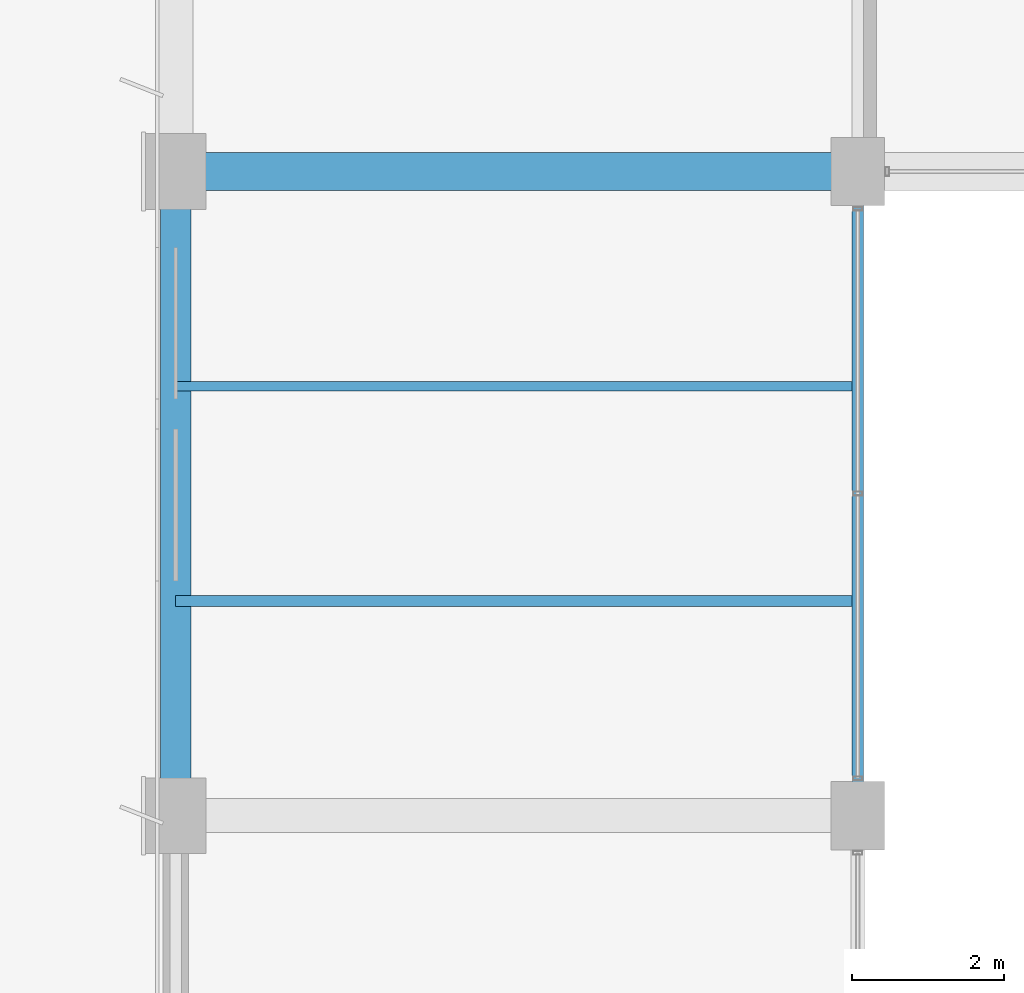
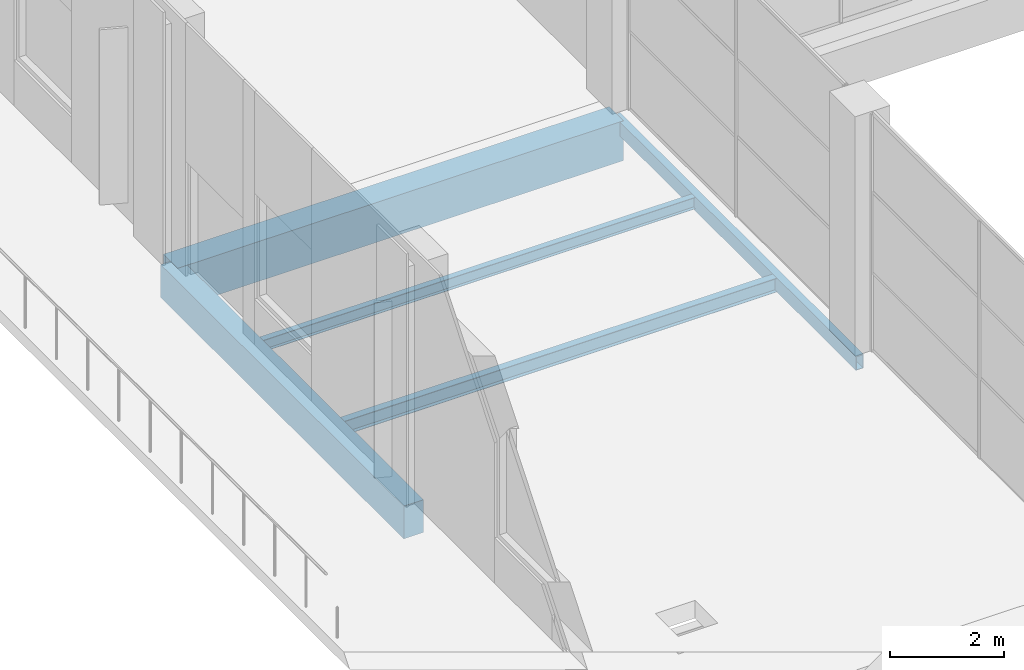
# One storey, part 49 of 90: 5 beams.
"""IFC4 building model written with IfcOpenShell, lengths in metres."""

import ifcopenshell
import ifcopenshell.guid

model = None  # the IFC model being written
_history = None  # IfcOwnerHistory: only IFC2X3 demands one
_inside = {}  # id of a spatial element -> (the spatial element, [elements in it])
_under = {}  # id of a project, library or spatial element -> (it, [spatial elements below it])
_declared = {}  # id of a project -> (the project, [libraries it declares])
_typed = {}  # id of a type object -> (the type object, [elements of that type])
_made_of = {}  # id of a material, layer set ... -> (it, [elements and type objects made of it])


def new_model(schema):
    """Start an empty IFC model of exactly this schema.

    Asked for "IFC4X3", IfcOpenShell would pick the latest addendum, in which some entities
    have other attributes; the version numbers below select the first issue.
    IFC2X3 requires an IfcOwnerHistory on every rooted entity: one is made here for all.
    """
    global model, _history
    if schema == "IFC4X3":
        model = ifcopenshell.file(schema_version=(4, 3, 0, 0))
    else:
        model = ifcopenshell.file(schema=schema)
    _inside.clear()
    _under.clear()
    _declared.clear()
    _typed.clear()
    _made_of.clear()
    _history = None
    if model.schema == "IFC2X3":
        org = make("IfcOrganization", Name="unknown")
        user = make(
            "IfcPersonAndOrganization",
            ThePerson=make("IfcPerson", FamilyName="unknown"),
            TheOrganization=org,
        )
        app = make(
            "IfcApplication",
            ApplicationDeveloper=org,
            Version="unknown",
            ApplicationFullName="unknown",
            ApplicationIdentifier="unknown",
        )
        _history = make(
            "IfcOwnerHistory",
            OwningUser=user,
            OwningApplication=app,
            ChangeAction="ADDED",
            CreationDate=0,
        )
    return model


def make(cls, **values):
    """One entity of the class cls with the attributes given. An attribute that is None is left unset."""
    return model.create_entity(
        cls, **{name: value for name, value in values.items() if value is not None}
    )


def rooted(cls, **values):
    """An entity with a GlobalId (a new one), such as an element, a storey or a relation."""
    return make(cls, GlobalId=ifcopenshell.guid.new(), OwnerHistory=_history, **values)


def si_unit(unit_type, name, prefix=None):
    """IfcSIUnit, for example si_unit("LENGTHUNIT", "METRE", prefix="MILLI")."""
    return make("IfcSIUnit", UnitType=unit_type, Prefix=prefix, Name=name)


def assignment(units):
    """IfcUnitAssignment: the units of a project."""
    return None if units is None else make("IfcUnitAssignment", Units=units)


def point(xyz):
    """IfcCartesianPoint."""
    return None if xyz is None else make("IfcCartesianPoint", Coordinates=xyz)


def direction(xyz):
    """IfcDirection."""
    return None if xyz is None else make("IfcDirection", DirectionRatios=xyz)


def frame(location, z_axis=None, x_axis=None):
    """IfcAxis2Placement3D, a coordinate frame: its origin and axes. An axis left out is left unset."""
    return make(
        "IfcAxis2Placement3D",
        Location=point(location),
        Axis=direction(z_axis),
        RefDirection=direction(x_axis),
    )


def frame_2d(location, x_axis=None):
    """IfcAxis2Placement2D, a coordinate frame in the plane: its origin and x axis."""
    return make(
        "IfcAxis2Placement2D", Location=point(location), RefDirection=direction(x_axis)
    )


def origin():
    """The frame at (0, 0, 0) with its axes left unset."""
    return frame((0.0, 0.0, 0.0))


def origin_2d():
    """The frame at (0, 0) in the plane with its x axis left unset."""
    return frame_2d((0.0, 0.0))


def place(relative_to, where):
    """IfcLocalPlacement: puts the frame where relative to a parent placement (None: the world)."""
    return make(
        "IfcLocalPlacement", PlacementRelTo=relative_to, RelativePlacement=where
    )


def context(
    kind, dimensions, precision=None, world=None, true_north=None, identifier=None
):
    """IfcGeometricRepresentationContext, for example the 3D "Model" context."""
    return make(
        "IfcGeometricRepresentationContext",
        ContextIdentifier=identifier,
        ContextType=kind,
        CoordinateSpaceDimension=dimensions,
        Precision=precision,
        WorldCoordinateSystem=world,
        TrueNorth=true_north,
    )


def subcontext(parent, identifier, kind, view, scale=None):
    """IfcGeometricRepresentationSubContext, for example "Body" below "Model"."""
    return make(
        "IfcGeometricRepresentationSubContext",
        ContextIdentifier=identifier,
        ContextType=kind,
        ParentContext=parent,
        TargetScale=scale,
        TargetView=view,
    )


def project(units=None, contexts=None):
    """IfcProject with its units and contexts."""
    return rooted(
        "IfcProject",
        Name="project",
        RepresentationContexts=contexts,
        UnitsInContext=assignment(units),
    )


def spatial(cls, under=None, at=None, **own):
    """A site, building, storey or space (cls), placed at a placement, below another one or the project."""
    s = rooted(cls, ObjectPlacement=at, **own)
    if under is not None:
        _under.setdefault(under.id(), (under, []))[1].append(s)
    return s


def profile(cls, at=None, kind="AREA", **sizes):
    """A parametric profile (cls). Its sizes go by their IFC names, for example OverallWidth=200.0."""
    return make(cls, ProfileType=kind, Position=at, **sizes)


def rectangle(**sizes):
    """IfcRectangleProfileDef."""
    return profile("IfcRectangleProfileDef", **sizes)


def hollow_rectangle(**sizes):
    """IfcRectangleHollowProfileDef."""
    return profile("IfcRectangleHollowProfileDef", **sizes)


def i_section(**sizes):
    """IfcIShapeProfileDef."""
    return profile("IfcIShapeProfileDef", **sizes)


def extrude(swept, where, along, depth):
    """IfcExtrudedAreaSolid: the profile swept, set in the frame where, extruded along a direction by depth."""
    return make(
        "IfcExtrudedAreaSolid",
        SweptArea=swept,
        Position=where,
        ExtrudedDirection=direction(along),
        Depth=depth,
    )


def shape(context_of_items, identifier, shape_type, items):
    """IfcShapeRepresentation: the items that make up one representation, for example the "Body"."""
    return make(
        "IfcShapeRepresentation",
        ContextOfItems=context_of_items,
        RepresentationIdentifier=identifier,
        RepresentationType=shape_type,
        Items=items,
    )


def material(Name=None, Category=None):
    """IfcMaterial."""
    return make("IfcMaterial", Name=Name, Category=Category)


def material_profile(
    of_material, cross_section, Name=None, Category=None, Priority=None
):
    """IfcMaterialProfile: a cross section and its material."""
    return make(
        "IfcMaterialProfile",
        Name=Name,
        Material=of_material,
        Profile=cross_section,
        Priority=Priority,
        Category=Category,
    )


def profile_set(profiles, Name=None, composite=None):
    """IfcMaterialProfileSet."""
    return make(
        "IfcMaterialProfileSet",
        Name=Name,
        MaterialProfiles=profiles,
        CompositeProfile=composite,
    )


def made_of(thing, what):
    """Note that an element or type object is made of a material, layer set ...; save() writes the relation."""
    if what is not None:
        _made_of.setdefault(what.id(), (what, []))[1].append(thing)
    return thing


def type_object(cls, material=None, **own):
    """A type object (cls), such as IfcWallType, which elements share."""
    return made_of(rooted(cls, **own), material)


def element(
    cls,
    number,
    at=None,
    inside=None,
    cuts=None,
    type_object=None,
    material=None,
    context=None,
    identifier="Body",
    shape_type=None,
    held_by="IfcProductDefinitionShape",
    body=None,
    shapes=None,
    **own,
):
    """One element of the class cls, such as IfcWall. Its Tag is "e" and its number.

    at: its placement. inside: the storey or other place that contains it. cuts: it is an
    opening in that element (IfcRelVoidsElement). A single representation is given by context,
    identifier, shape_type and body (its items); several are given by shapes. held_by: the class
    of the entity that holds the representations. save() writes the other relations.
    """
    e = rooted(cls, Tag="e%d" % number, ObjectPlacement=at, **own)
    if body is not None:
        shapes = [shape(context, identifier, shape_type, body)]
    if shapes is not None:
        e.Representation = make(held_by, Representations=shapes)
    if inside is not None:
        _inside.setdefault(inside.id(), (inside, []))[1].append(e)
    if cuts is not None:
        rooted(
            "IfcRelVoidsElement", RelatingBuildingElement=cuts, RelatedOpeningElement=e
        )
    if type_object is not None:
        _typed.setdefault(type_object.id(), (type_object, []))[1].append(e)
    return made_of(e, material)


def aggregate(whole, parts):
    """IfcRelAggregates: a whole, such as a stair, and the parts it consists of."""
    return rooted("IfcRelAggregates", RelatingObject=whole, RelatedObjects=parts)


def save(model, path):
    """Write the relations noted so far, then the file.

    IfcRelAggregates (storeys below a building ...), IfcRelContainedInSpatialStructure (elements
    in a storey), IfcRelDefinesByType, IfcRelAssociatesMaterial and IfcRelDeclares: one each for
    every whole, place, type object, material and project.
    """
    for whole, parts in _under.values():
        aggregate(whole, parts)
    for where, things in _inside.values():
        rooted(
            "IfcRelContainedInSpatialStructure",
            RelatedElements=things,
            RelatingStructure=where,
        )
    for kind, things in _typed.values():
        rooted("IfcRelDefinesByType", RelatedObjects=things, RelatingType=kind)
    for what, things in _made_of.values():
        rooted("IfcRelAssociatesMaterial", RelatedObjects=things, RelatingMaterial=what)
    for by, libraries in _declared.values():
        rooted("IfcRelDeclares", RelatingContext=by, RelatedDefinitions=libraries)
    model.write(path)


model = new_model("IFC4")

# Units and contexts
model_context = context("Model", 3, precision=1e-05, world=origin(), true_north=direction((0.0, 1.0)))
body_context = subcontext(model_context, "Body", "Model", "MODEL_VIEW")
ifc_project = project(units=[si_unit("LENGTHUNIT", "METRE"), si_unit("AREAUNIT", "SQUARE_METRE"), si_unit("VOLUMEUNIT", "CUBIC_METRE"), si_unit("PLANEANGLEUNIT", "RADIAN"), si_unit("MASSUNIT", "GRAM", prefix="KILO")], contexts=[model_context])

# Site, building, storey
site_placement = place(None, origin())
site = spatial("IfcSite", under=ifc_project, at=site_placement, CompositionType="ELEMENT")
building_placement = place(site_placement, origin())
building = spatial("IfcBuilding", under=site, at=building_placement, Name="Solvikara Media Centre", CompositionType="ELEMENT")
storey_placement = place(building_placement, origin())
storey = spatial("IfcBuildingStorey", under=building, at=storey_placement, Name="L00", CompositionType="ELEMENT", Elevation=0.0)

# Beams
ifc_material_1 = material(Name="Concrete fc' 35 MPa (C35/45)", Category="concrete")
ifc_material_profile_1 = material_profile(ifc_material_1, rectangle(XDim=0.5, YDim=0.85009765625, at=origin_2d()), Name="RC 500x850")
ifc_profile_set_1 = profile_set([ifc_material_profile_1], Name="Concrete fc' 35 MPa (C35/45)")
beam_type_1 = type_object("IfcBeamType", Name="BM-08", PredefinedType="BEAM", material=ifc_profile_set_1)
beam_1_placement = place(storey_placement, frame((127.5, 89.0, -0.804931640625), z_axis=(1.0, 0.0, 0.0), x_axis=(0.0, 1.0, 0.0)))
element("IfcBeam", 1, at=beam_1_placement, inside=storey, type_object=beam_type_1, Name="B-L00-X0092", PredefinedType="BEAM", context=body_context, shape_type="SweptSolid", body=[
    extrude(rectangle(XDim=0.5, YDim=0.85009765625, at=origin_2d()), origin(), (0.0, 0.0, 1.0), 9.0),
])
ifc_material_profile_2 = material_profile(ifc_material_1, rectangle(XDim=0.39990234375, YDim=0.699951171875, at=origin_2d()), Name="RC 400x700")
ifc_profile_set_2 = profile_set([ifc_material_profile_2], Name="Concrete fc' 35 MPa (C35/45)")
beam_type_2 = type_object("IfcBeamType", Name="BM-13", PredefinedType="SPANDREL", material=ifc_profile_set_2)
beam_2_placement = place(storey_placement, frame((127.5, 80.5, -0.72998046875), z_axis=(0.0, 1.0, 0.0), x_axis=(-1.0, 0.0, 0.0)))
element("IfcBeam", 2, at=beam_2_placement, inside=storey, type_object=beam_type_2, Name="B-L00-Y0199", PredefinedType="SPANDREL", context=body_context, shape_type="SweptSolid", body=[
    extrude(rectangle(XDim=0.39990234375, YDim=0.699951171875, at=origin_2d()), origin(), (0.0, 0.0, 1.0), 8.5),
])
ifc_material_2 = material(Name="Steel S355JR", Category="steel")
ifc_material_profile_3 = material_profile(ifc_material_2, hollow_rectangle(XDim=0.14990234375, YDim=0.300048828125, WallThickness=0.010009765625, at=origin_2d()), Name="RHS 300x150x10")
ifc_profile_set_3 = profile_set([ifc_material_profile_3], Name="Steel S355JR")
beam_type_3 = type_object("IfcBeamType", Name="BM-35", PredefinedType="BEAM", material=ifc_profile_set_3)
beam_3_placement = place(storey_placement, frame((136.5, 80.5, -0.531982421875), z_axis=(0.0, 1.0, 0.0), x_axis=(-1.0, 0.0, 0.0)))
element("IfcBeam", 3, at=beam_3_placement, inside=storey, type_object=beam_type_3, Name="B-L00-Y0209", PredefinedType="BEAM", context=body_context, shape_type="SweptSolid", body=[
    extrude(hollow_rectangle(XDim=0.14990234375, YDim=0.300048828125, WallThickness=0.010009765625, at=origin_2d()), origin(), (0.0, 0.0, 1.0), 8.5),
])
ifc_material_profile_4 = material_profile(ifc_material_2, i_section(OverallWidth=0.14892578125, OverallDepth=0.298095703125, WebThickness=0.005615234375, FlangeThickness=0.008056640625, at=origin_2d()), Name="WF 298x149x5.5x8")
ifc_profile_set_4 = profile_set([ifc_material_profile_4], Name="Steel S355JR")
beam_type_4 = type_object("IfcBeamType", Name="BM-39", PredefinedType="JOIST", material=ifc_profile_set_4)
beam_4_placement = place(storey_placement, frame((127.5, 83.3330078125, -0.531005859375), z_axis=(1.0, 0.0, 0.0), x_axis=(0.0, 1.0, 0.0)))
element("IfcBeam", 4, at=beam_4_placement, inside=storey, type_object=beam_type_4, Name="J-L00-0391", PredefinedType="JOIST", context=body_context, shape_type="SweptSolid", body=[
    extrude(i_section(OverallWidth=0.14892578125, OverallDepth=0.298095703125, WebThickness=0.005615234375, FlangeThickness=0.008056640625, at=origin_2d()), origin(), (0.0, 0.0, 1.0), 8.922119140625),
])
ifc_material_profile_5 = material_profile(ifc_material_2, i_section(OverallWidth=0.1240234375, OverallDepth=0.248046875, WebThickness=0.0048828125, FlangeThickness=0.008056640625, at=origin_2d()), Name="WF 248x124x5x8")
ifc_profile_set_5 = profile_set([ifc_material_profile_5], Name="Steel S355JR")
beam_type_5 = type_object("IfcBeamType", Name="BM-40", PredefinedType="JOIST", material=ifc_profile_set_5)
beam_5_placement = place(storey_placement, frame((127.5, 86.1669921875, -0.506103515625), z_axis=(1.0, 0.0, 0.0), x_axis=(0.0, 1.0, 0.0)))
element("IfcBeam", 5, at=beam_5_placement, inside=storey, type_object=beam_type_5, Name="J-L00-0392", PredefinedType="JOIST", context=body_context, shape_type="SweptSolid", body=[
    extrude(i_section(OverallWidth=0.1240234375, OverallDepth=0.248046875, WebThickness=0.0048828125, FlangeThickness=0.008056640625, at=origin_2d()), origin(), (0.0, 0.0, 1.0), 8.922119140625),
])

save(model, "model.ifc")
